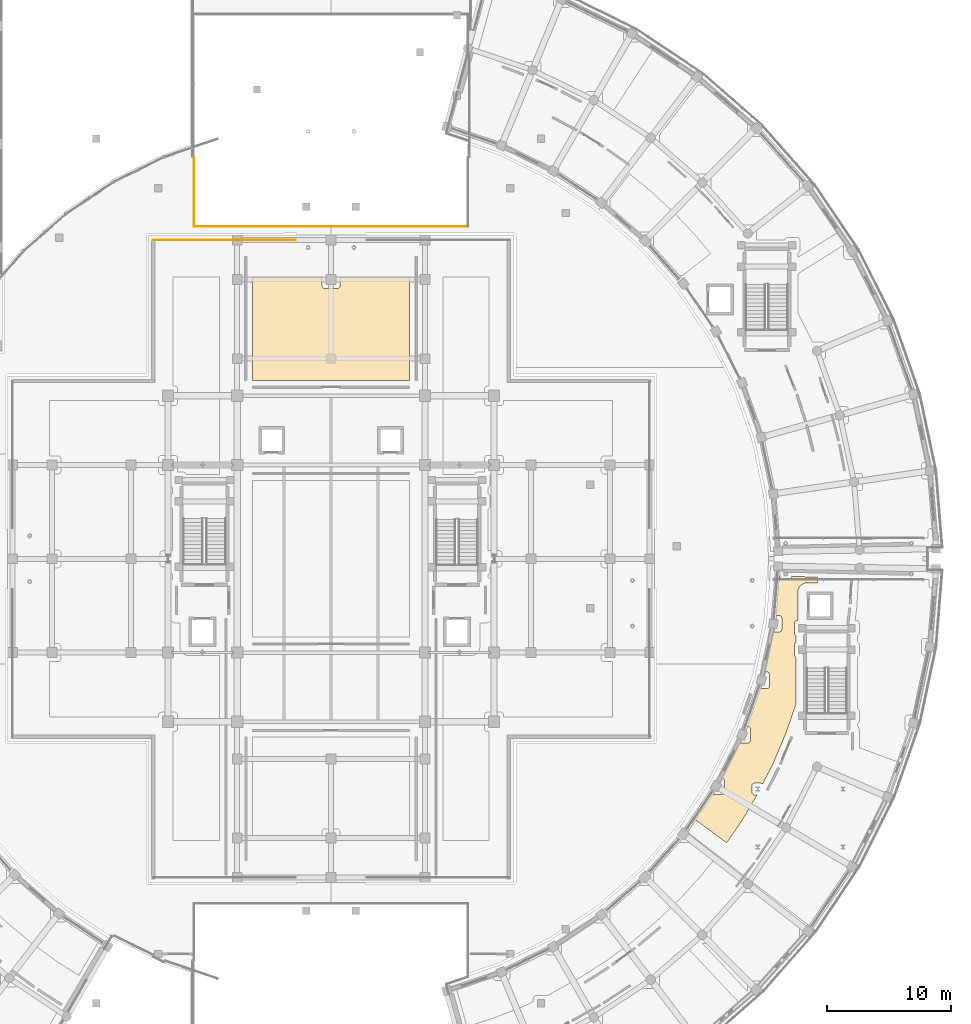
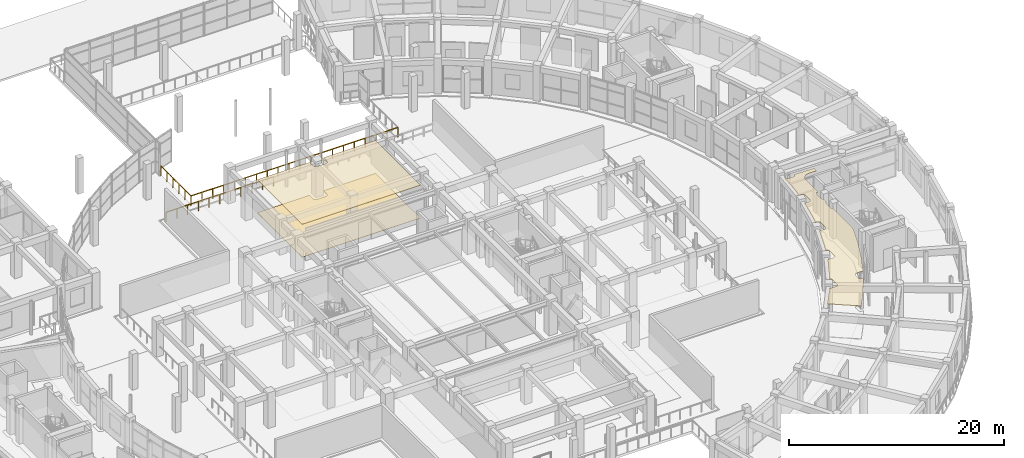
# One storey, part 80 of 87: 3 coverings, 3 railings.
"""IFC4 building model written with IfcOpenShell, lengths in metres."""

from ifc_helpers import new_model, si_unit, direction, frame, origin, origin_2d, place, context, subcontext, project, spatial, polyline, rectangle, outline, extrude, material, layer, layer_set, type_object, element, save


model = new_model("IFC4")

# Units and contexts
model_context = context("Model", 3, precision=1e-05, world=origin(), true_north=direction((0.0, 1.0)))
body_context = subcontext(model_context, "Body", "Model", "MODEL_VIEW")
ifc_project = project(units=[si_unit("LENGTHUNIT", "METRE"), si_unit("AREAUNIT", "SQUARE_METRE"), si_unit("VOLUMEUNIT", "CUBIC_METRE"), si_unit("PLANEANGLEUNIT", "RADIAN"), si_unit("MASSUNIT", "GRAM", prefix="KILO")], contexts=[model_context])

# Site, building, storey
site_placement = place(None, origin())
site = spatial("IfcSite", under=ifc_project, at=site_placement, CompositionType="ELEMENT")
building_placement = place(site_placement, origin())
building = spatial("IfcBuilding", under=site, at=building_placement, Name="Saryqyr Civic Hall", CompositionType="ELEMENT")
storey_placement = place(building_placement, frame((0.0, 0.0, 5.10009765625)))
storey = spatial("IfcBuildingStorey", under=building, at=storey_placement, Name="L01", CompositionType="ELEMENT", Elevation=5.10009765625)

# Coverings
ifc_material_1 = material(Name="Mineral-fibre acoustic ceiling tile", Category="acoustic_tile")
ifc_layer_1 = layer(ifc_material_1, 0.06005859375, Name="Mineral-fibre acoustic ceiling tile")
ifc_layer_set_1 = layer_set([ifc_layer_1], Name="Mineral-fibre acoustic ceiling tile")
covering_type_1 = type_object("IfcCoveringType", Name="INT-COV-CEIL-60", PredefinedType="CEILING", material=ifc_layer_set_1)
covering_1_placement = place(storey_placement, frame((0.0, 0.0, 3.7099609375)))
element("IfcCovering", 1, at=covering_1_placement, inside=storey, type_object=covering_type_1, Name="Acoustic ceiling Exhibition Curatorial Forum", PredefinedType="CEILING", context=body_context, shape_type="SweptSolid", body=[
    extrude(outline(polyline([(91.938720703125, 65.773193359375), (91.9189453125, 65.787841796875), (91.897705078125, 65.800537109375), (91.875732421875, 65.81103515625), (91.8525390625, 65.819091796875), (91.828857421875, 65.8251953125), (91.804443359375, 65.828857421875), (91.780029296875, 65.830078125), (91.320068359375, 65.830078125), (91.29541015625, 65.828857421875), (91.271240234375, 65.8251953125), (91.247314453125, 65.819091796875), (91.224365234375, 65.81103515625), (91.2021484375, 65.800537109375), (91.18115234375, 65.787841796875), (91.161376953125, 65.773193359375), (91.143310546875, 65.7568359375), (91.126708984375, 65.738525390625), (91.112060546875, 65.718994140625), (91.099609375, 65.69775390625), (91.089111328125, 65.67578125), (91.080810546875, 65.652587890625), (91.07470703125, 65.62890625), (91.0712890625, 65.6044921875), (91.070068359375, 65.580078125), (91.070068359375, 65.1201171875), (91.0712890625, 65.095458984375), (91.07470703125, 65.0712890625), (91.080810546875, 65.04736328125), (91.089111328125, 65.0244140625), (91.099609375, 65.002197265625), (91.112060546875, 64.981201171875), (91.126708984375, 64.96142578125), (91.143310546875, 64.943115234375), (91.161376953125, 64.9267578125), (91.18115234375, 64.912109375), (91.2021484375, 64.8994140625), (91.224365234375, 64.888916015625), (91.247314453125, 64.880859375), (91.271240234375, 64.874755859375), (91.29541015625, 64.87109375), (91.320068359375, 64.8701171875), (91.4931640625, 64.8701171875), (90.233154296875, 62.74365234375), (89.03125, 60.99853515625), (86.475830078125, 62.89013671875), (87.544189453125, 64.44140625), (87.564453125, 64.472900390625), (87.82275390625, 64.908935546875), (88.598388671875, 64.908935546875), (88.623046875, 64.91015625), (88.647216796875, 64.913818359375), (88.671142578125, 64.919921875), (88.694091796875, 64.927978515625), (88.71630859375, 64.9384765625), (88.7373046875, 64.951171875), (88.757080078125, 64.9658203125), (88.775390625, 64.982177734375), (88.791748046875, 65.00048828125), (88.806396484375, 65.02001953125), (88.819091796875, 65.041259765625), (88.82958984375, 65.063232421875), (88.837646484375, 65.08642578125), (88.84375, 65.110107421875), (88.847412109375, 65.134521484375), (88.848388671875, 65.158935546875), (88.848388671875, 66.01904296875), (88.847412109375, 66.04345703125), (88.84375, 66.06787109375), (88.837646484375, 66.091552734375), (88.82958984375, 66.11474609375), (88.819091796875, 66.13671875), (88.806396484375, 66.157958984375), (88.791748046875, 66.177490234375), (88.775390625, 66.19580078125), (88.757080078125, 66.21240234375), (88.7373046875, 66.226806640625), (88.71630859375, 66.239501953125), (88.694091796875, 66.25), (88.671142578125, 66.25830078125), (88.647216796875, 66.26416015625), (88.627685546875, 66.26708984375), (88.805908203125, 66.56787109375), (88.823974609375, 66.6005859375), (89.919677734375, 68.775390625), (89.935302734375, 68.809326171875), (90.049072265625, 69.07958984375), (90.71142578125, 69.07958984375), (90.73583984375, 69.080810546875), (90.76025390625, 69.08447265625), (90.783935546875, 69.09033203125), (90.80712890625, 69.0986328125), (90.8291015625, 69.109130859375), (90.850341796875, 69.12158203125), (90.8701171875, 69.13623046875), (90.88818359375, 69.15283203125), (90.90478515625, 69.1708984375), (90.919189453125, 69.190673828125), (90.931884765625, 69.2119140625), (90.9423828125, 69.23388671875), (90.95068359375, 69.257080078125), (90.95654296875, 69.28076171875), (90.960205078125, 69.30517578125), (90.96142578125, 69.32958984375), (90.96142578125, 70.189697265625), (90.960205078125, 70.214111328125), (90.95654296875, 70.23828125), (90.95068359375, 70.26220703125), (90.9423828125, 70.285400390625), (90.931884765625, 70.307373046875), (90.919189453125, 70.32861328125), (90.90478515625, 70.34814453125), (90.88818359375, 70.366455078125), (90.8701171875, 70.3828125), (90.850341796875, 70.3974609375), (90.8291015625, 70.41015625), (90.80712890625, 70.420654296875), (90.783935546875, 70.4287109375), (90.76025390625, 70.434814453125), (90.73583984375, 70.4384765625), (90.71142578125, 70.439697265625), (90.621826171875, 70.439697265625), (90.88037109375, 71.053466796875), (90.893798828125, 71.088623046875), (91.683837890625, 73.39208984375), (91.694580078125, 73.427734375), (91.710693359375, 73.48779296875), (92.269287109375, 73.48779296875), (92.293701171875, 73.489013671875), (92.318115234375, 73.49267578125), (92.341796875, 73.49853515625), (92.364990234375, 73.5068359375), (92.386962890625, 73.517333984375), (92.408203125, 73.52978515625), (92.427734375, 73.54443359375), (92.446044921875, 73.56103515625), (92.46240234375, 73.5791015625), (92.47705078125, 73.598876953125), (92.48974609375, 73.6201171875), (92.500244140625, 73.64208984375), (92.50830078125, 73.665283203125), (92.514404296875, 73.68896484375), (92.51806640625, 73.71337890625), (92.519287109375, 73.73779296875), (92.519287109375, 74.597900390625), (92.51806640625, 74.622314453125), (92.514404296875, 74.646484375), (92.50830078125, 74.67041015625), (92.500244140625, 74.693603515625), (92.48974609375, 74.715576171875), (92.47705078125, 74.73681640625), (92.46240234375, 74.75634765625), (92.446044921875, 74.774658203125), (92.427734375, 74.791015625), (92.408203125, 74.8056640625), (92.386962890625, 74.818359375), (92.364990234375, 74.828857421875), (92.341796875, 74.8369140625), (92.318115234375, 74.843017578125), (92.293701171875, 74.8466796875), (92.269287109375, 74.847900390625), (92.07568359375, 74.847900390625), (92.325927734375, 75.779541015625), (92.33447265625, 75.816162109375), (92.775390625, 78.059814453125), (93.245849609375, 78.059814453125), (93.270263671875, 78.06103515625), (93.294677734375, 78.064697265625), (93.318359375, 78.07080078125), (93.341552734375, 78.078857421875), (93.363525390625, 78.08935546875), (93.384765625, 78.10205078125), (93.404296875, 78.11669921875), (93.422607421875, 78.133056640625), (93.439208984375, 78.1513671875), (93.45361328125, 78.1708984375), (93.46630859375, 78.192138671875), (93.476806640625, 78.214111328125), (93.485107421875, 78.2373046875), (93.490966796875, 78.260986328125), (93.49462890625, 78.285400390625), (93.495849609375, 78.309814453125), (93.495849609375, 79.169921875), (93.49462890625, 79.1943359375), (93.490966796875, 79.21875), (93.485107421875, 79.242431640625), (93.476806640625, 79.265625), (93.46630859375, 79.28759765625), (93.45361328125, 79.308837890625), (93.439208984375, 79.32861328125), (93.422607421875, 79.3466796875), (93.404296875, 79.36328125), (93.384765625, 79.377685546875), (93.363525390625, 79.390380859375), (93.341552734375, 79.40087890625), (93.318359375, 79.4091796875), (93.294677734375, 79.4150390625), (93.270263671875, 79.418701171875), (93.245849609375, 79.419921875), (92.958740234375, 79.419921875), (93.115478515625, 80.658447265625), (93.118896484375, 80.69580078125), (93.228515625, 82.595947265625), (93.33349609375, 82.593505859375), (93.33349609375, 82.533447265625), (93.334716796875, 82.509033203125), (93.33837890625, 82.484619140625), (93.34423828125, 82.4609375), (93.3525390625, 82.437744140625), (93.363037109375, 82.415771484375), (93.37548828125, 82.39453125), (93.39013671875, 82.375), (93.40673828125, 82.356689453125), (93.4248046875, 82.340087890625), (93.444580078125, 82.32568359375), (93.4658203125, 82.31298828125), (93.48779296875, 82.302490234375), (93.510986328125, 82.294189453125), (93.53466796875, 82.288330078125), (93.55908203125, 82.28466796875), (93.58349609375, 82.283447265625), (94.0166015625, 82.283447265625), (94.041015625, 82.28466796875), (94.065185546875, 82.288330078125), (94.089111328125, 82.294189453125), (94.1123046875, 82.302490234375), (94.13427734375, 82.31298828125), (94.155517578125, 82.32568359375), (94.175048828125, 82.340087890625), (94.193359375, 82.356689453125), (94.209716796875, 82.375), (94.224365234375, 82.39453125), (94.237060546875, 82.415771484375), (94.24755859375, 82.437744140625), (94.255615234375, 82.4609375), (94.26171875, 82.484619140625), (94.265380859375, 82.509033203125), (94.2666015625, 82.533447265625), (94.2666015625, 82.571533203125), (96.406982421875, 82.521240234375), (96.3798828125, 82.050048828125), (95.550048828125, 82.050048828125), (95.530517578125, 82.049560546875), (95.49609375, 82.0478515625), (95.45703125, 82.0439453125), (95.423095703125, 82.038818359375), (95.384521484375, 82.03125), (95.351318359375, 82.02294921875), (95.313720703125, 82.011474609375), (95.28125, 82.0), (95.2451171875, 81.985107421875), (95.214111328125, 81.97021484375), (95.179443359375, 81.951904296875), (95.14990234375, 81.93408203125), (95.1171875, 81.912353515625), (95.089599609375, 81.891845703125), (95.059326171875, 81.866943359375), (95.033935546875, 81.843994140625), (95.006103515625, 81.816162109375), (94.983154296875, 81.790771484375), (94.958251953125, 81.76025390625), (94.937744140625, 81.732666015625), (94.916015625, 81.7001953125), (94.898193359375, 81.670654296875), (94.879638671875, 81.635986328125), (94.864990234375, 81.60498046875), (94.85009765625, 81.568603515625), (94.83837890625, 81.536376953125), (94.8271484375, 81.498779296875), (94.818603515625, 81.465576171875), (94.81103515625, 81.427001953125), (94.805908203125, 81.39306640625), (94.80224609375, 81.35400390625), (94.800537109375, 81.319580078125), (94.800048828125, 81.300048828125), (94.800048828125, 79.10009765625), (94.800537109375, 79.080322265625), (94.80224609375, 79.046142578125), (94.8056640625, 79.010009765625), (94.760009765625, 79.010009765625), (94.735595703125, 79.0087890625), (94.711181640625, 79.005126953125), (94.6875, 78.999267578125), (94.664306640625, 78.990966796875), (94.64208984375, 78.98046875), (94.62109375, 78.968017578125), (94.601318359375, 78.953369140625), (94.583251953125, 78.936767578125), (94.566650390625, 78.918701171875), (94.552001953125, 78.89892578125), (94.53955078125, 78.877685546875), (94.529052734375, 78.855712890625), (94.520751953125, 78.83251953125), (94.514892578125, 78.808837890625), (94.51123046875, 78.784423828125), (94.510009765625, 78.760009765625), (94.510009765625, 78.0), (94.51123046875, 77.9755859375), (94.514892578125, 77.951171875), (94.520751953125, 77.927490234375), (94.529052734375, 77.904296875), (94.53955078125, 77.882080078125), (94.552001953125, 77.861083984375), (94.566650390625, 77.84130859375), (94.583251953125, 77.8232421875), (94.601318359375, 77.806640625), (94.62109375, 77.7919921875), (94.64208984375, 77.779541015625), (94.659912109375, 77.77099609375), (94.659912109375, 77.2587890625), (94.64208984375, 77.25048828125), (94.62109375, 77.23779296875), (94.601318359375, 77.223388671875), (94.583251953125, 77.206787109375), (94.566650390625, 77.188720703125), (94.552001953125, 77.1689453125), (94.53955078125, 77.147705078125), (94.529052734375, 77.125732421875), (94.520751953125, 77.1025390625), (94.514892578125, 77.078857421875), (94.51123046875, 77.054443359375), (94.510009765625, 77.030029296875), (94.510009765625, 76.27001953125), (94.51123046875, 76.24560546875), (94.514892578125, 76.22119140625), (94.520751953125, 76.197509765625), (94.529052734375, 76.17431640625), (94.53955078125, 76.152099609375), (94.552001953125, 76.131103515625), (94.566650390625, 76.111328125), (94.583251953125, 76.09326171875), (94.601318359375, 76.07666015625), (94.62109375, 76.06201171875), (94.64208984375, 76.049560546875), (94.659912109375, 76.041015625), (94.659912109375, 72.275634765625), (93.858154296875, 69.9375), (92.814453125, 67.458984375), (91.956787109375, 65.7568359375), (91.938720703125, 65.773193359375)])), origin(), (0.0, 0.0, 1.0), 0.06005859375),
])
covering_2_placement = place(storey_placement, frame((0.0, 0.0, 3.7099609375)))
element("IfcCovering", 2, at=covering_2_placement, inside=storey, type_object=covering_type_1, Name="Acoustic ceiling Civic Reception & Banquet Foyer", PredefinedType="CEILING", context=body_context, shape_type="SweptSolid", body=[
    extrude(outline(polyline([(50.64990234375, 98.449951171875), (50.64990234375, 106.800048828125), (56.27001953125, 106.800048828125), (56.27001953125, 106.1201171875), (56.271240234375, 106.095458984375), (56.27490234375, 106.0712890625), (56.28076171875, 106.04736328125), (56.2890625, 106.0244140625), (56.299560546875, 106.002197265625), (56.31201171875, 105.981201171875), (56.32666015625, 105.96142578125), (56.34326171875, 105.943115234375), (56.361328125, 105.9267578125), (56.381103515625, 105.912109375), (56.402099609375, 105.8994140625), (56.42431640625, 105.888916015625), (56.447509765625, 105.880859375), (56.47119140625, 105.874755859375), (56.49560546875, 105.87109375), (56.52001953125, 105.8701171875), (57.47998046875, 105.8701171875), (57.50439453125, 105.87109375), (57.52880859375, 105.874755859375), (57.552490234375, 105.880859375), (57.57568359375, 105.888916015625), (57.597900390625, 105.8994140625), (57.618896484375, 105.912109375), (57.638671875, 105.9267578125), (57.65673828125, 105.943115234375), (57.67333984375, 105.96142578125), (57.68798828125, 105.981201171875), (57.700439453125, 106.002197265625), (57.7109375, 106.0244140625), (57.71923828125, 106.04736328125), (57.72509765625, 106.0712890625), (57.728759765625, 106.095458984375), (57.72998046875, 106.1201171875), (57.72998046875, 106.800048828125), (63.35009765625, 106.800048828125), (63.35009765625, 98.449951171875), (50.64990234375, 98.449951171875)])), origin(), (0.0, 0.0, 1.0), 0.06005859375),
])
ifc_material_2 = material(Name="Polished terrazzo tile", Category="stone")
ifc_layer_2 = layer(ifc_material_2, 0.030029296875, Name="Polished terrazzo tile")
ifc_layer_set_2 = layer_set([ifc_layer_2], Name="Polished terrazzo tile")
covering_type_2 = type_object("IfcCoveringType", Name="INT-COV-FLR-30", PredefinedType="FLOORING", material=ifc_layer_set_2)
covering_3_placement = place(storey_placement, origin())
element("IfcCovering", 3, at=covering_3_placement, inside=storey, type_object=covering_type_2, Name="Polished terrazzo flooring Civic Reception & Banquet Foyer", PredefinedType="FLOORING", context=body_context, shape_type="SweptSolid", body=[
    extrude(outline(polyline([(50.64990234375, 98.449951171875), (50.64990234375, 106.800048828125), (56.27001953125, 106.800048828125), (56.27001953125, 106.1201171875), (56.271240234375, 106.095458984375), (56.27490234375, 106.0712890625), (56.28076171875, 106.04736328125), (56.2890625, 106.0244140625), (56.299560546875, 106.002197265625), (56.31201171875, 105.981201171875), (56.32666015625, 105.96142578125), (56.34326171875, 105.943115234375), (56.361328125, 105.9267578125), (56.381103515625, 105.912109375), (56.402099609375, 105.8994140625), (56.42431640625, 105.888916015625), (56.447509765625, 105.880859375), (56.47119140625, 105.874755859375), (56.49560546875, 105.87109375), (56.52001953125, 105.8701171875), (57.47998046875, 105.8701171875), (57.50439453125, 105.87109375), (57.52880859375, 105.874755859375), (57.552490234375, 105.880859375), (57.57568359375, 105.888916015625), (57.597900390625, 105.8994140625), (57.618896484375, 105.912109375), (57.638671875, 105.9267578125), (57.65673828125, 105.943115234375), (57.67333984375, 105.96142578125), (57.68798828125, 105.981201171875), (57.700439453125, 106.002197265625), (57.7109375, 106.0244140625), (57.71923828125, 106.04736328125), (57.72509765625, 106.0712890625), (57.728759765625, 106.095458984375), (57.72998046875, 106.1201171875), (57.72998046875, 106.800048828125), (63.35009765625, 106.800048828125), (63.35009765625, 98.449951171875), (50.64990234375, 98.449951171875)])), origin(), (0.0, 0.0, 1.0), 0.02978515625),
])

# Railings
ifc_material_3 = material(Name="Warm brushed brass and laminated glass", Category="glass")
ifc_layer_3 = layer(ifc_material_3, 0.06005859375, Name="Warm brushed brass and laminated glass")
ifc_layer_set_3 = layer_set([ifc_layer_3], Name="Warm brushed brass and laminated glass")
railing_type = type_object("IfcRailingType", Name="INT-RLG-BAL-1100", PredefinedType="BALUSTRADE", material=ifc_layer_set_3)
railing_1_placement = place(storey_placement, frame((42.60009765625, 109.800048828125, 0.0)))
element("IfcRailing", 4, at=railing_1_placement, inside=storey, type_object=railing_type, Name="Perimeter safety balustrade V1-JNTGA-L01-05-G01", PredefinedType="BALUSTRADE", context=body_context, shape_type="SweptSolid", body=[
    extrude(rectangle(XDim=0.048095703125, YDim=0.048095703125, at=origin_2d()), frame((0.0, 0.0, 1.076171875), z_axis=(1.0, 0.0, 0.0), x_axis=(0.0, 1.0, 0.0)), (0.0, 0.0, 1.0), 11.5),
    extrude(rectangle(XDim=0.0419921875, YDim=0.0419921875, at=origin_2d()), origin(), (0.0, 0.0, 1.0), 1.052001953125),
    extrude(rectangle(XDim=0.0419921875, YDim=0.0419921875, at=origin_2d()), frame((1.14990234375, 0.0, 0.0)), (0.0, 0.0, 1.0), 1.052001953125),
    extrude(rectangle(XDim=0.0419921875, YDim=0.0419921875, at=origin_2d()), frame((2.300048828125, 0.0, 0.0)), (0.0, 0.0, 1.0), 1.052001953125),
    extrude(rectangle(XDim=0.0419921875, YDim=0.0419921875, at=origin_2d()), frame((3.449951171875, 0.0, 0.0)), (0.0, 0.0, 1.0), 1.052001953125),
    extrude(rectangle(XDim=0.0419921875, YDim=0.0419921875, at=origin_2d()), frame((4.60009765625, 0.0, 0.0)), (0.0, 0.0, 1.0), 1.052001953125),
    extrude(rectangle(XDim=0.0419921875, YDim=0.0419921875, at=origin_2d()), frame((5.75, 0.0, 0.0)), (0.0, 0.0, 1.0), 1.052001953125),
    extrude(rectangle(XDim=0.0419921875, YDim=0.0419921875, at=origin_2d()), frame((6.89990234375, 0.0, 0.0)), (0.0, 0.0, 1.0), 1.052001953125),
    extrude(rectangle(XDim=0.0419921875, YDim=0.0419921875, at=origin_2d()), frame((8.050048828125, 0.0, 0.0)), (0.0, 0.0, 1.0), 1.052001953125),
    extrude(rectangle(XDim=0.0419921875, YDim=0.0419921875, at=origin_2d()), frame((9.199951171875, 0.0, 0.0)), (0.0, 0.0, 1.0), 1.052001953125),
    extrude(rectangle(XDim=0.0419921875, YDim=0.0419921875, at=origin_2d()), frame((10.35009765625, 0.0, 0.0)), (0.0, 0.0, 1.0), 1.052001953125),
    extrude(rectangle(XDim=0.0419921875, YDim=0.0419921875, at=origin_2d()), frame((11.5, 0.0, 0.0)), (0.0, 0.0, 1.0), 1.052001953125),
])
railing_2_placement = place(storey_placement, frame((45.89990234375, 116.5, 0.0)))
element("IfcRailing", 5, at=railing_2_placement, inside=storey, type_object=railing_type, Name="Interior deck safety balustrade L01-066", PredefinedType="BALUSTRADE", context=body_context, shape_type="SweptSolid", body=[
    extrude(rectangle(XDim=0.048095703125, YDim=0.048095703125, at=origin_2d()), frame((0.0, 0.0, 1.09619140625), z_axis=(0.0, -1.0, 0.0), x_axis=(1.0, 0.0, 0.0)), (0.0, 0.0, 1.0), 5.60009765625),
    extrude(rectangle(XDim=0.0419921875, YDim=0.0419921875, at=origin_2d()), origin(), (0.0, 0.0, 1.0), 1.072021484375),
    extrude(rectangle(XDim=0.0419921875, YDim=0.0419921875, at=origin_2d()), frame((0.0, -1.1201171875, 0.0)), (0.0, 0.0, 1.0), 1.072021484375),
    extrude(rectangle(XDim=0.0419921875, YDim=0.0419921875, at=origin_2d()), frame((0.0, -2.239990234375, 0.0)), (0.0, 0.0, 1.0), 1.072021484375),
    extrude(rectangle(XDim=0.0419921875, YDim=0.0419921875, at=origin_2d()), frame((0.0, -3.360107421875, 0.0)), (0.0, 0.0, 1.0), 1.072021484375),
    extrude(rectangle(XDim=0.0419921875, YDim=0.0419921875, at=origin_2d()), frame((0.0, -4.47998046875, 0.0)), (0.0, 0.0, 1.0), 1.072021484375),
    extrude(rectangle(XDim=0.0419921875, YDim=0.0419921875, at=origin_2d()), frame((0.0, -5.60009765625, 0.0)), (0.0, 0.0, 1.0), 1.072021484375),
])
railing_3_placement = place(storey_placement, frame((45.89990234375, 110.89990234375, 0.0)))
element("IfcRailing", 6, at=railing_3_placement, inside=storey, type_object=railing_type, Name="Interior deck safety balustrade L01-067", PredefinedType="BALUSTRADE", context=body_context, shape_type="SweptSolid", body=[
    extrude(rectangle(XDim=0.048095703125, YDim=0.048095703125, at=origin_2d()), frame((0.0, 0.0, 1.09619140625), z_axis=(1.0, 0.0, 0.0), x_axis=(0.0, 1.0, 0.0)), (0.0, 0.0, 1.0), 22.2001953125),
    extrude(rectangle(XDim=0.0419921875, YDim=0.0419921875, at=origin_2d()), origin(), (0.0, 0.0, 1.0), 1.072021484375),
    extrude(rectangle(XDim=0.0419921875, YDim=0.0419921875, at=origin_2d()), frame((1.16845703125, 0.0, 0.0)), (0.0, 0.0, 1.0), 1.072021484375),
    extrude(rectangle(XDim=0.0419921875, YDim=0.0419921875, at=origin_2d()), frame((2.3369140625, 0.0, 0.0)), (0.0, 0.0, 1.0), 1.072021484375),
    extrude(rectangle(XDim=0.0419921875, YDim=0.0419921875, at=origin_2d()), frame((3.50537109375, 0.0, 0.0)), (0.0, 0.0, 1.0), 1.072021484375),
    extrude(rectangle(XDim=0.0419921875, YDim=0.0419921875, at=origin_2d()), frame((4.673828125, 0.0, 0.0)), (0.0, 0.0, 1.0), 1.072021484375),
    extrude(rectangle(XDim=0.0419921875, YDim=0.0419921875, at=origin_2d()), frame((5.842041015625, 0.0, 0.0)), (0.0, 0.0, 1.0), 1.072021484375),
    extrude(rectangle(XDim=0.0419921875, YDim=0.0419921875, at=origin_2d()), frame((7.010498046875, 0.0, 0.0)), (0.0, 0.0, 1.0), 1.072021484375),
    extrude(rectangle(XDim=0.0419921875, YDim=0.0419921875, at=origin_2d()), frame((8.178955078125, 0.0, 0.0)), (0.0, 0.0, 1.0), 1.072021484375),
    extrude(rectangle(XDim=0.0419921875, YDim=0.0419921875, at=origin_2d()), frame((9.347412109375, 0.0, 0.0)), (0.0, 0.0, 1.0), 1.072021484375),
    extrude(rectangle(XDim=0.0419921875, YDim=0.0419921875, at=origin_2d()), frame((10.515869140625, 0.0, 0.0)), (0.0, 0.0, 1.0), 1.072021484375),
    extrude(rectangle(XDim=0.0419921875, YDim=0.0419921875, at=origin_2d()), frame((11.684326171875, 0.0, 0.0)), (0.0, 0.0, 1.0), 1.072021484375),
    extrude(rectangle(XDim=0.0419921875, YDim=0.0419921875, at=origin_2d()), frame((12.852783203125, 0.0, 0.0)), (0.0, 0.0, 1.0), 1.072021484375),
    extrude(rectangle(XDim=0.0419921875, YDim=0.0419921875, at=origin_2d()), frame((14.021240234375, 0.0, 0.0)), (0.0, 0.0, 1.0), 1.072021484375),
    extrude(rectangle(XDim=0.0419921875, YDim=0.0419921875, at=origin_2d()), frame((15.189697265625, 0.0, 0.0)), (0.0, 0.0, 1.0), 1.072021484375),
    extrude(rectangle(XDim=0.0419921875, YDim=0.0419921875, at=origin_2d()), frame((16.358154296875, 0.0, 0.0)), (0.0, 0.0, 1.0), 1.072021484375),
    extrude(rectangle(XDim=0.0419921875, YDim=0.0419921875, at=origin_2d()), frame((17.5263671875, 0.0, 0.0)), (0.0, 0.0, 1.0), 1.072021484375),
    extrude(rectangle(XDim=0.0419921875, YDim=0.0419921875, at=origin_2d()), frame((18.69482421875, 0.0, 0.0)), (0.0, 0.0, 1.0), 1.072021484375),
    extrude(rectangle(XDim=0.0419921875, YDim=0.0419921875, at=origin_2d()), frame((19.86328125, 0.0, 0.0)), (0.0, 0.0, 1.0), 1.072021484375),
    extrude(rectangle(XDim=0.0419921875, YDim=0.0419921875, at=origin_2d()), frame((21.03173828125, 0.0, 0.0)), (0.0, 0.0, 1.0), 1.072021484375),
    extrude(rectangle(XDim=0.0419921875, YDim=0.0419921875, at=origin_2d()), frame((22.2001953125, 0.0, 0.0)), (0.0, 0.0, 1.0), 1.072021484375),
])

save(model, "model.ifc")
